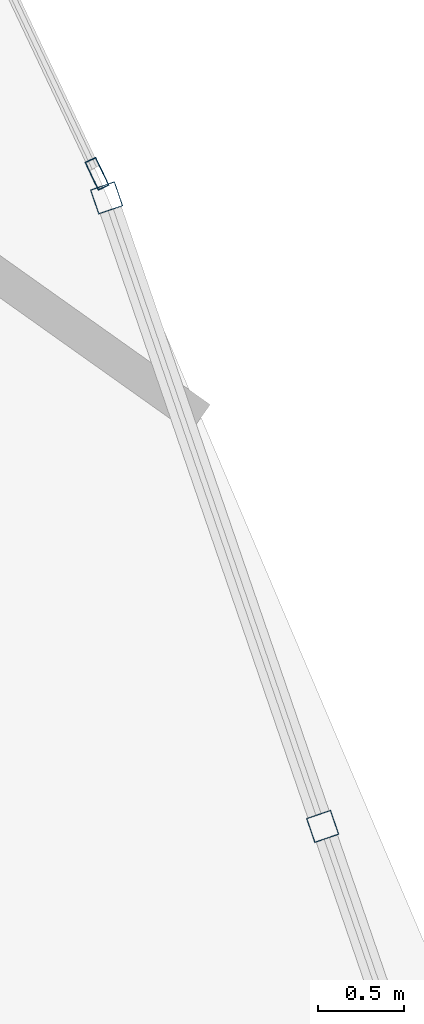
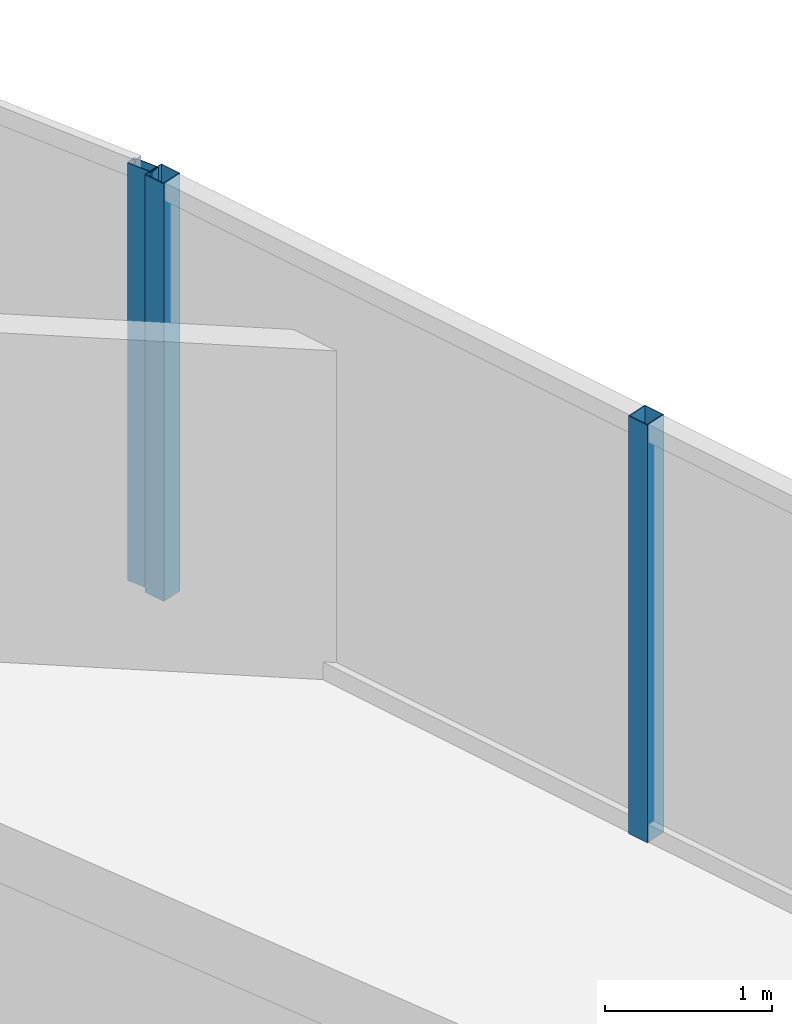
# One storey, part 16 of 33: 3 members, 2 elements without a shape of their own.
"""IFC4 building model written with IfcOpenShell, lengths in metres."""

from ifc_helpers import new_model, si_unit, direction, frame, origin, origin_2d, place, context, subcontext, project, spatial, hollow_rectangle, extrude, material, layer, layer_set, material_profile, profile_set, type_object, element, aggregate, save


model = new_model("IFC4")

# Units and contexts
model_context = context("Model", 3, precision=1e-05, world=origin(), true_north=direction((0.0, 1.0)))
body_context = subcontext(model_context, "Body", "Model", "MODEL_VIEW")
ifc_project = project(units=[si_unit("LENGTHUNIT", "METRE"), si_unit("AREAUNIT", "SQUARE_METRE"), si_unit("VOLUMEUNIT", "CUBIC_METRE"), si_unit("PLANEANGLEUNIT", "RADIAN"), si_unit("MASSUNIT", "GRAM", prefix="KILO")], contexts=[model_context])

# Site, building, storey
site_placement = place(None, origin())
site = spatial("IfcSite", under=ifc_project, at=site_placement, CompositionType="ELEMENT")
building_placement = place(site_placement, origin())
building = spatial("IfcBuilding", under=site, at=building_placement, Name="Orvanel Arch Residences", CompositionType="ELEMENT")
storey_placement = place(building_placement, frame((0.0, 0.0, 70.85009765625)))
storey = spatial("IfcBuildingStorey", under=building, at=storey_placement, Name="L19", CompositionType="ELEMENT", Elevation=70.85009765625)

# Curtain wall, members
ifc_material = material(Name="Bronze-anodised aluminium AA6063-T6", Category="aluminium")
ifc_layer_1 = layer(ifc_material, 0.18994140625)
ifc_layer_set_1 = layer_set([ifc_layer_1], Name="Bronze-anodised aluminium AA6063-T6")
curtain_wall_type_1 = type_object("IfcCurtainWallType", Name="CW5-CRN-SYS", PredefinedType="NOTDEFINED", material=ifc_layer_set_1)
curtain_wall_1_placement = place(storey_placement, origin())
curtain_wall_1 = element("IfcCurtainWall", 1, at=curtain_wall_1_placement, inside=storey, type_object=curtain_wall_type_1, Name="L19 CW5-CRN-SYS Unitised Curtain Wall", PredefinedType="NOTDEFINED")
ifc_material_profile_1 = material_profile(ifc_material, hollow_rectangle(XDim=0.14990234375, YDim=0.14990234375, WallThickness=0.0048828125, at=origin_2d()), Name="ALU150x150x5")
ifc_profile_set_1 = profile_set([ifc_material_profile_1], Name="Bronze-anodised aluminium AA6063-T6")
member_type_1 = type_object("IfcMemberType", Name="MUL-150x150", PredefinedType="MULLION", material=ifc_profile_set_1)
member_1_placement = place(storey_placement, frame((59.574951171875, 9.781982421875, 0.0), z_axis=(0.0, 0.0, 1.0), x_axis=(-0.945657194416, -0.325165297425, 0.0)))
member_1 = element("IfcMember", 2, at=member_1_placement, type_object=member_type_1, Name="CW-S5 mullion 2", PredefinedType="MULLION", context=body_context, shape_type="SweptSolid", body=[
    extrude(hollow_rectangle(XDim=0.14990234375, YDim=0.14990234375, WallThickness=0.0048828125, at=origin_2d()), origin(), (0.0, 0.0, 1.0), 3.059814453125),
])
member_2_placement = place(storey_placement, frame((58.324462890625, 13.419189453125, 0.0), z_axis=(0.0, 0.0, 1.0), x_axis=(-0.945657194416, -0.325165297425, 0.0)))
member_2 = element("IfcMember", 3, at=member_2_placement, type_object=member_type_1, Name="CW-S5 mullion 3", PredefinedType="MULLION", context=body_context, shape_type="SweptSolid", body=[
    extrude(hollow_rectangle(XDim=0.14990234375, YDim=0.14990234375, WallThickness=0.0048828125, at=origin_2d()), origin(), (0.0, 0.0, 1.0), 3.059814453125),
])
aggregate(curtain_wall_1, [member_1, member_2])

# Curtain wall, member
ifc_layer_2 = layer(ifc_material, 0.179931640625)
ifc_layer_set_2 = layer_set([ifc_layer_2], Name="Bronze-anodised aluminium AA6063-T6")
curtain_wall_type_2 = type_object("IfcCurtainWallType", Name="CW2-LOW-SYS", PredefinedType="NOTDEFINED", material=ifc_layer_set_2)
curtain_wall_2_placement = place(storey_placement, origin())
curtain_wall_2 = element("IfcCurtainWall", 4, at=curtain_wall_2_placement, inside=storey, type_object=curtain_wall_type_2, Name="L19 CW2-LOW-SYS Unitised Curtain Wall", PredefinedType="NOTDEFINED")
ifc_material_profile_2 = material_profile(ifc_material, hollow_rectangle(XDim=0.070068359375, YDim=0.179931640625, WallThickness=0.00439453125, at=origin_2d()), Name="ALU180x70x4.5")
ifc_profile_set_2 = profile_set([ifc_material_profile_2], Name="Bronze-anodised aluminium AA6063-T6")
member_type_2 = type_object("IfcMemberType", Name="MUL-180x70", PredefinedType="MULLION", material=ifc_profile_set_2)
member_3_placement = place(storey_placement, frame((58.26904296875, 13.55859375, 0.0), z_axis=(0.0, 0.0, 1.0), x_axis=(-0.903875434189, -0.427795745036, 0.0)))
member_3 = element("IfcMember", 5, at=member_3_placement, type_object=member_type_2, Name="CW-S2 mullion 1", PredefinedType="MULLION", context=body_context, shape_type="SweptSolid", body=[
    extrude(hollow_rectangle(XDim=0.070068359375, YDim=0.179931640625, WallThickness=0.00439453125, at=origin_2d()), origin(), (0.0, 0.0, 1.0), 3.059814453125),
])
aggregate(curtain_wall_2, [member_3])

save(model, "model.ifc")
